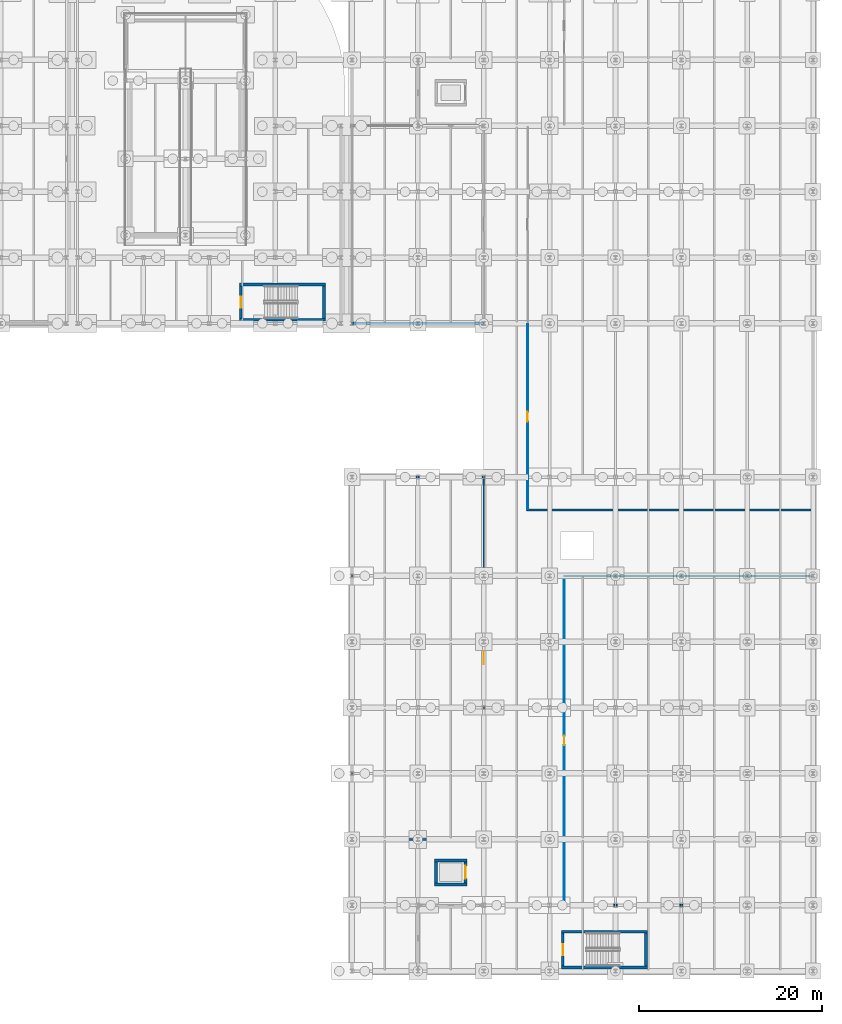
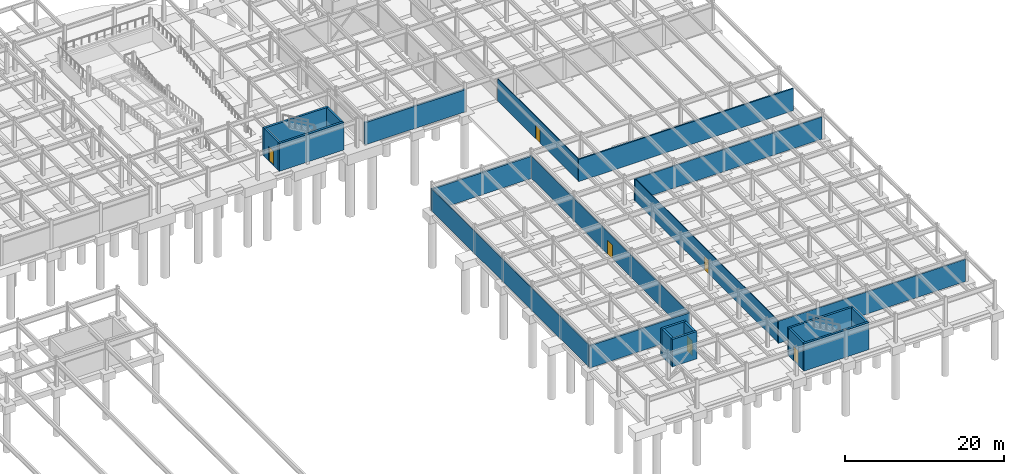
# One storey, part 45 of 54: 22 walls, 6 doors, 6 openings.
"""IFC4 building model written with IfcOpenShell, lengths in metres."""

import ifcopenshell
import ifcopenshell.guid

model = None  # the IFC model being written
_history = None  # IfcOwnerHistory: only IFC2X3 demands one
_inside = {}  # id of a spatial element -> (the spatial element, [elements in it])
_under = {}  # id of a project, library or spatial element -> (it, [spatial elements below it])
_declared = {}  # id of a project -> (the project, [libraries it declares])
_typed = {}  # id of a type object -> (the type object, [elements of that type])
_made_of = {}  # id of a material, layer set ... -> (it, [elements and type objects made of it])


def new_model(schema):
    """Start an empty IFC model of exactly this schema.

    Asked for "IFC4X3", IfcOpenShell would pick the latest addendum, in which some entities
    have other attributes; the version numbers below select the first issue.
    IFC2X3 requires an IfcOwnerHistory on every rooted entity: one is made here for all.
    """
    global model, _history
    if schema == "IFC4X3":
        model = ifcopenshell.file(schema_version=(4, 3, 0, 0))
    else:
        model = ifcopenshell.file(schema=schema)
    _inside.clear()
    _under.clear()
    _declared.clear()
    _typed.clear()
    _made_of.clear()
    _history = None
    if model.schema == "IFC2X3":
        org = make("IfcOrganization", Name="unknown")
        user = make(
            "IfcPersonAndOrganization",
            ThePerson=make("IfcPerson", FamilyName="unknown"),
            TheOrganization=org,
        )
        app = make(
            "IfcApplication",
            ApplicationDeveloper=org,
            Version="unknown",
            ApplicationFullName="unknown",
            ApplicationIdentifier="unknown",
        )
        _history = make(
            "IfcOwnerHistory",
            OwningUser=user,
            OwningApplication=app,
            ChangeAction="ADDED",
            CreationDate=0,
        )
    return model


def make(cls, **values):
    """One entity of the class cls with the attributes given. An attribute that is None is left unset."""
    return model.create_entity(
        cls, **{name: value for name, value in values.items() if value is not None}
    )


def rooted(cls, **values):
    """An entity with a GlobalId (a new one), such as an element, a storey or a relation."""
    return make(cls, GlobalId=ifcopenshell.guid.new(), OwnerHistory=_history, **values)


def si_unit(unit_type, name, prefix=None):
    """IfcSIUnit, for example si_unit("LENGTHUNIT", "METRE", prefix="MILLI")."""
    return make("IfcSIUnit", UnitType=unit_type, Prefix=prefix, Name=name)


def assignment(units):
    """IfcUnitAssignment: the units of a project."""
    return None if units is None else make("IfcUnitAssignment", Units=units)


def point(xyz):
    """IfcCartesianPoint."""
    return None if xyz is None else make("IfcCartesianPoint", Coordinates=xyz)


def direction(xyz):
    """IfcDirection."""
    return None if xyz is None else make("IfcDirection", DirectionRatios=xyz)


def frame(location, z_axis=None, x_axis=None):
    """IfcAxis2Placement3D, a coordinate frame: its origin and axes. An axis left out is left unset."""
    return make(
        "IfcAxis2Placement3D",
        Location=point(location),
        Axis=direction(z_axis),
        RefDirection=direction(x_axis),
    )


def frame_2d(location, x_axis=None):
    """IfcAxis2Placement2D, a coordinate frame in the plane: its origin and x axis."""
    return make(
        "IfcAxis2Placement2D", Location=point(location), RefDirection=direction(x_axis)
    )


def origin():
    """The frame at (0, 0, 0) with its axes left unset."""
    return frame((0.0, 0.0, 0.0))


def place(relative_to, where):
    """IfcLocalPlacement: puts the frame where relative to a parent placement (None: the world)."""
    return make(
        "IfcLocalPlacement", PlacementRelTo=relative_to, RelativePlacement=where
    )


def context(
    kind, dimensions, precision=None, world=None, true_north=None, identifier=None
):
    """IfcGeometricRepresentationContext, for example the 3D "Model" context."""
    return make(
        "IfcGeometricRepresentationContext",
        ContextIdentifier=identifier,
        ContextType=kind,
        CoordinateSpaceDimension=dimensions,
        Precision=precision,
        WorldCoordinateSystem=world,
        TrueNorth=true_north,
    )


def subcontext(parent, identifier, kind, view, scale=None):
    """IfcGeometricRepresentationSubContext, for example "Body" below "Model"."""
    return make(
        "IfcGeometricRepresentationSubContext",
        ContextIdentifier=identifier,
        ContextType=kind,
        ParentContext=parent,
        TargetScale=scale,
        TargetView=view,
    )


def project(units=None, contexts=None):
    """IfcProject with its units and contexts."""
    return rooted(
        "IfcProject",
        Name="project",
        RepresentationContexts=contexts,
        UnitsInContext=assignment(units),
    )


def spatial(cls, under=None, at=None, **own):
    """A site, building, storey or space (cls), placed at a placement, below another one or the project."""
    s = rooted(cls, ObjectPlacement=at, **own)
    if under is not None:
        _under.setdefault(under.id(), (under, []))[1].append(s)
    return s


def profile(cls, at=None, kind="AREA", **sizes):
    """A parametric profile (cls). Its sizes go by their IFC names, for example OverallWidth=200.0."""
    return make(cls, ProfileType=kind, Position=at, **sizes)


def rectangle(**sizes):
    """IfcRectangleProfileDef."""
    return profile("IfcRectangleProfileDef", **sizes)


def extrude(swept, where, along, depth):
    """IfcExtrudedAreaSolid: the profile swept, set in the frame where, extruded along a direction by depth."""
    return make(
        "IfcExtrudedAreaSolid",
        SweptArea=swept,
        Position=where,
        ExtrudedDirection=direction(along),
        Depth=depth,
    )


def shape(context_of_items, identifier, shape_type, items):
    """IfcShapeRepresentation: the items that make up one representation, for example the "Body"."""
    return make(
        "IfcShapeRepresentation",
        ContextOfItems=context_of_items,
        RepresentationIdentifier=identifier,
        RepresentationType=shape_type,
        Items=items,
    )


def material(Name=None, Category=None):
    """IfcMaterial."""
    return make("IfcMaterial", Name=Name, Category=Category)


def layer(
    of_material, thickness, ventilated=None, Name=None, Category=None, Priority=None
):
    """IfcMaterialLayer: one layer of a wall or slab, of a material (None: an air gap)."""
    return make(
        "IfcMaterialLayer",
        Material=of_material,
        LayerThickness=thickness,
        IsVentilated=ventilated,
        Name=Name,
        Category=Category,
        Priority=Priority,
    )


def layer_set(layers, Name=None):
    """IfcMaterialLayerSet."""
    return make("IfcMaterialLayerSet", MaterialLayers=layers, LayerSetName=Name)


def made_of(thing, what):
    """Note that an element or type object is made of a material, layer set ...; save() writes the relation."""
    if what is not None:
        _made_of.setdefault(what.id(), (what, []))[1].append(thing)
    return thing


def type_object(cls, material=None, **own):
    """A type object (cls), such as IfcWallType, which elements share."""
    return made_of(rooted(cls, **own), material)


def element(
    cls,
    number,
    at=None,
    inside=None,
    cuts=None,
    type_object=None,
    material=None,
    context=None,
    identifier="Body",
    shape_type=None,
    held_by="IfcProductDefinitionShape",
    body=None,
    shapes=None,
    **own,
):
    """One element of the class cls, such as IfcWall. Its Tag is "e" and its number.

    at: its placement. inside: the storey or other place that contains it. cuts: it is an
    opening in that element (IfcRelVoidsElement). A single representation is given by context,
    identifier, shape_type and body (its items); several are given by shapes. held_by: the class
    of the entity that holds the representations. save() writes the other relations.
    """
    e = rooted(cls, Tag="e%d" % number, ObjectPlacement=at, **own)
    if body is not None:
        shapes = [shape(context, identifier, shape_type, body)]
    if shapes is not None:
        e.Representation = make(held_by, Representations=shapes)
    if inside is not None:
        _inside.setdefault(inside.id(), (inside, []))[1].append(e)
    if cuts is not None:
        rooted(
            "IfcRelVoidsElement", RelatingBuildingElement=cuts, RelatedOpeningElement=e
        )
    if type_object is not None:
        _typed.setdefault(type_object.id(), (type_object, []))[1].append(e)
    return made_of(e, material)


def fill(opening, filler):
    """IfcRelFillsElement: the door or window that sits in an opening."""
    return rooted(
        "IfcRelFillsElement",
        RelatingOpeningElement=opening,
        RelatedBuildingElement=filler,
    )


def aggregate(whole, parts):
    """IfcRelAggregates: a whole, such as a stair, and the parts it consists of."""
    return rooted("IfcRelAggregates", RelatingObject=whole, RelatedObjects=parts)


def save(model, path):
    """Write the relations noted so far, then the file.

    IfcRelAggregates (storeys below a building ...), IfcRelContainedInSpatialStructure (elements
    in a storey), IfcRelDefinesByType, IfcRelAssociatesMaterial and IfcRelDeclares: one each for
    every whole, place, type object, material and project.
    """
    for whole, parts in _under.values():
        aggregate(whole, parts)
    for where, things in _inside.values():
        rooted(
            "IfcRelContainedInSpatialStructure",
            RelatedElements=things,
            RelatingStructure=where,
        )
    for kind, things in _typed.values():
        rooted("IfcRelDefinesByType", RelatedObjects=things, RelatingType=kind)
    for what, things in _made_of.values():
        rooted("IfcRelAssociatesMaterial", RelatedObjects=things, RelatingMaterial=what)
    for by, libraries in _declared.values():
        rooted("IfcRelDeclares", RelatingContext=by, RelatedDefinitions=libraries)
    model.write(path)


model = new_model("IFC4")

# Units and contexts
model_context = context("Model", 3, precision=1e-05, world=origin(), true_north=direction((0.0, 1.0)))
body_context = subcontext(model_context, "Body", "Model", "MODEL_VIEW")
ifc_project = project(units=[si_unit("LENGTHUNIT", "METRE"), si_unit("AREAUNIT", "SQUARE_METRE"), si_unit("VOLUMEUNIT", "CUBIC_METRE"), si_unit("PLANEANGLEUNIT", "RADIAN"), si_unit("MASSUNIT", "GRAM", prefix="KILO")], contexts=[model_context])

# Site, building, storey
site_placement = place(None, origin())
site = spatial("IfcSite", under=ifc_project, at=site_placement, CompositionType="ELEMENT")
building_placement = place(site_placement, origin())
building = spatial("IfcBuilding", under=site, at=building_placement, Name="Vaelcorin Mobility Hub", CompositionType="ELEMENT")
storey_placement = place(building_placement, frame((0.0, 0.0, -4.5)))
storey = spatial("IfcBuildingStorey", under=building, at=storey_placement, Name="B1", CompositionType="ELEMENT", Elevation=-4.5)

# Walls
ifc_material_1 = material(Name="Reinforced concrete f'c 45 MPa", Category="concrete")
ifc_layer_1 = layer(ifc_material_1, 0.300048828125)
ifc_layer_set_1 = layer_set([ifc_layer_1], Name="Reinforced concrete f'c 45 MPa")
wall_type_1 = type_object("IfcWallType", Name="WL-CORE-300", PredefinedType="SOLIDWALL", material=ifc_layer_set_1)
for number, where, z_axis, x_axis, name in (
    (1, (150.699951171875, 77.199951171875, 0.0), (0.0, 0.0, 1.0), (-1.0, 0.0, 0.0), "ST2 Fire Core Wall B1 South"),
    (2, (141.300048828125, 81.06005859375, 0.0), (0.0, 0.0, 1.0), (1.0, 0.0, 0.0), "ST2 Fire Core Wall B1 North"),
):
    element("IfcWall", number, at=place(storey_placement, frame(where, z_axis=z_axis, x_axis=x_axis)), inside=storey, type_object=wall_type_1, Name=name, PredefinedType="SOLIDWALL", context=body_context, shape_type="SweptSolid", body=[
        extrude(rectangle(XDim=9.39990234375, YDim=0.300048828125, at=frame_2d((4.699951171875, 0.0))), origin(), (0.0, 0.0, 1.0), 4.25),
    ])

# Wall, opening, door
wall_1_placement = place(storey_placement, frame((141.449951171875, 77.35009765625, 0.0), z_axis=(0.0, 0.0, 1.0), x_axis=(0.0, 1.0, 0.0)))
wall_1 = element("IfcWall", 3, at=wall_1_placement, inside=storey, type_object=wall_type_1, Name="ST2 Fire Core Wall B1 West", PredefinedType="SOLIDWALL", context=body_context, shape_type="SweptSolid", body=[
    extrude(rectangle(XDim=3.559814453125, YDim=0.300048828125, at=frame_2d((1.77978515625, 0.0))), origin(), (0.0, 0.0, 1.0), 4.25),
])
opening_1_placement = place(wall_1_placement, frame((1.179931640625, 0.0, 0.0)))
opening_1 = element("IfcOpeningElement", 4, at=opening_1_placement, cuts=wall_1, Name="Opening SD01", PredefinedType="OPENING", context=body_context, shape_type="SweptSolid", body=[
    extrude(rectangle(XDim=1.199951171875, YDim=2.199951171875, at=frame_2d((0.60009765625, 1.10009765625))), frame((0.0, 0.159912109375, 0.0), z_axis=(0.0, -1.0, 0.0), x_axis=(1.0, 0.0, 0.0)), (0.0, 0.0, 1.0), 0.320068359375),
])
ifc_material_2 = material(Name="Hollow-metal insulated steel fire door", Category="steel")
door_type_1 = type_object("IfcDoorType", Name="DR-STAIR-90", OperationType="NOTDEFINED", PredefinedType="DOOR", material=ifc_material_2)
door_1_placement = place(opening_1_placement, origin())
door_1 = element("IfcDoor", 5, at=door_1_placement, inside=storey, type_object=door_type_1, Name="ST2 Protected Stair Door B1", OperationType="SINGLE_SWING_RIGHT", OverallHeight=2.199951171875, OverallWidth=1.199951171875, PredefinedType="DOOR", context=body_context, shape_type="SweptSolid", body=[
    extrude(rectangle(XDim=1.199951171875, YDim=2.199951171875, at=frame_2d((0.60009765625, 1.10009765625))), frame((0.0, 0.02490234375, 0.0), z_axis=(0.0, -1.0, 0.0), x_axis=(1.0, 0.0, 0.0)), (0.0, 0.0, 1.0), 0.050048828125),
])
fill(opening_1, door_1)

# Walls
wall_2_placement = place(storey_placement, frame((150.550048828125, 80.909912109375, 0.0), z_axis=(0.0, 0.0, 1.0), x_axis=(0.0, -1.0, 0.0)))
element("IfcWall", 6, at=wall_2_placement, inside=storey, type_object=wall_type_1, Name="ST2 Fire Core Wall B1 East", PredefinedType="SOLIDWALL", context=body_context, shape_type="SweptSolid", body=[
    extrude(rectangle(XDim=3.559814453125, YDim=0.300048828125, at=frame_2d((1.77978515625, 0.0))), origin(), (0.0, 0.0, 1.0), 4.25),
])
for number, where, z_axis, x_axis, name in (
    (7, (185.89990234375, 6.39990234375, 0.0), (0.0, 0.0, 1.0), (-1.0, 0.0, 0.0), "ST5 Fire Core Wall B1 South"),
    (8, (176.5, 10.300048828125, 0.0), (0.0, 0.0, 1.0), (1.0, 0.0, 0.0), "ST5 Fire Core Wall B1 North"),
):
    element("IfcWall", number, at=place(storey_placement, frame(where, z_axis=z_axis, x_axis=x_axis)), inside=storey, type_object=wall_type_1, Name=name, PredefinedType="SOLIDWALL", context=body_context, shape_type="SweptSolid", body=[
        extrude(rectangle(XDim=9.39990234375, YDim=0.300048828125, at=frame_2d((4.699951171875, 0.0))), origin(), (0.0, 0.0, 1.0), 4.179931640625),
    ])

# Wall, opening, door
wall_3_placement = place(storey_placement, frame((176.64990234375, 6.550048828125, 0.0), z_axis=(0.0, 0.0, 1.0), x_axis=(0.0, 1.0, 0.0)))
wall_3 = element("IfcWall", 9, at=wall_3_placement, inside=storey, type_object=wall_type_1, Name="ST5 Fire Core Wall B1 West", PredefinedType="SOLIDWALL", context=body_context, shape_type="SweptSolid", body=[
    extrude(rectangle(XDim=3.599853515625, YDim=0.300048828125, at=frame_2d((1.7998046875, 0.0))), origin(), (0.0, 0.0, 1.0), 4.179931640625),
])
opening_2_placement = place(wall_3_placement, frame((1.199951171875, 0.0, 0.0)))
opening_2 = element("IfcOpeningElement", 10, at=opening_2_placement, cuts=wall_3, Name="Opening SD01", PredefinedType="OPENING", context=body_context, shape_type="SweptSolid", body=[
    extrude(rectangle(XDim=1.199951171875, YDim=2.199951171875, at=frame_2d((0.60009765625, 1.10009765625))), frame((0.0, 0.159912109375, 0.0), z_axis=(0.0, -1.0, 0.0), x_axis=(1.0, 0.0, 0.0)), (0.0, 0.0, 1.0), 0.320068359375),
])
door_2_placement = place(opening_2_placement, origin())
door_2 = element("IfcDoor", 11, at=door_2_placement, inside=storey, type_object=door_type_1, Name="ST5 Protected Stair Door B1", OperationType="SINGLE_SWING_LEFT", OverallHeight=2.199951171875, OverallWidth=1.199951171875, PredefinedType="DOOR", context=body_context, shape_type="SweptSolid", body=[
    extrude(rectangle(XDim=1.199951171875, YDim=2.199951171875, at=frame_2d((0.60009765625, 1.10009765625))), frame((0.0, 0.02490234375, 0.0), z_axis=(0.0, -1.0, 0.0), x_axis=(1.0, 0.0, 0.0)), (0.0, 0.0, 1.0), 0.050048828125),
])
fill(opening_2, door_2)

# Wall
wall_4_placement = place(storey_placement, frame((185.75, 10.14990234375, 0.0), z_axis=(0.0, 0.0, 1.0), x_axis=(0.0, -1.0, 0.0)))
element("IfcWall", 12, at=wall_4_placement, inside=storey, type_object=wall_type_1, Name="ST5 Fire Core Wall B1 East", PredefinedType="SOLIDWALL", context=body_context, shape_type="SweptSolid", body=[
    extrude(rectangle(XDim=3.599853515625, YDim=0.300048828125, at=frame_2d((1.7998046875, 0.0))), origin(), (0.0, 0.0, 1.0), 4.179931640625),
])

# Wall, opening, door
ifc_material_3 = material(Name="Fire-rated acoustic steel-stud gypsum board", Category="steel")
ifc_layer_2 = layer(ifc_material_3, 0.10009765625)
ifc_layer_set_2 = layer_set([ifc_layer_2], Name="Fire-rated acoustic steel-stud gypsum board")
wall_type_2 = type_object("IfcWallType", Name="WL-PART-100", PredefinedType="PARTITIONING", material=ifc_layer_set_2)
wall_5_placement = place(storey_placement, frame((176.800048828125, 13.2939453125, 0.0), z_axis=(0.0, 0.0, 1.0), x_axis=(0.0, 1.0, 0.0)))
wall_5 = element("IfcWall", 13, at=wall_5_placement, inside=storey, type_object=wall_type_2, Name="Geothermal Heat-Pump Plant Hall Partition West", PredefinedType="PARTITIONING", context=body_context, shape_type="SweptSolid", body=[
    extrude(rectangle(XDim=35.80810546875, YDim=0.10009765625, at=frame_2d((17.904052734375, 0.0))), origin(), (0.0, 0.0, 1.0), 3.403076171875),
])
opening_3_placement = place(wall_5_placement, frame((17.3740234375, 0.0, 0.0)))
opening_3 = element("IfcOpeningElement", 14, at=opening_3_placement, cuts=wall_5, Name="Opening ID05", PredefinedType="OPENING", context=body_context, shape_type="SweptSolid", body=[
    extrude(rectangle(XDim=1.06005859375, YDim=2.10009765625, at=frame_2d((0.530029296875, 1.050048828125))), frame((0.0, 0.06005859375, 0.0), z_axis=(0.0, -1.0, 0.0), x_axis=(1.0, 0.0, 0.0)), (0.0, 0.0, 1.0), 0.1201171875),
])
ifc_material_4 = material(Name="Solid-core hardwood fire door assembly", Category="wood")
door_type_2 = type_object("IfcDoorType", Name="DR-INT-05", OperationType="NOTDEFINED", PredefinedType="DOOR", material=ifc_material_4)
door_3_placement = place(opening_3_placement, origin())
door_3 = element("IfcDoor", 15, at=door_3_placement, inside=storey, type_object=door_type_2, Name="Geothermal Heat-Pump Plant Hall Door", OperationType="SINGLE_SWING_LEFT", OverallHeight=2.10009765625, OverallWidth=1.06005859375, PredefinedType="DOOR", context=body_context, shape_type="SweptSolid", body=[
    extrude(rectangle(XDim=1.06005859375, YDim=2.10009765625, at=frame_2d((0.530029296875, 1.050048828125))), frame((0.0, 0.02490234375, 0.0), z_axis=(0.0, -1.0, 0.0), x_axis=(1.0, 0.0, 0.0)), (0.0, 0.0, 1.0), 0.050048828125),
])
fill(opening_3, door_3)

ifc_layer_3 = layer(ifc_material_3, 0.10498046875)
ifc_layer_set_3 = layer_set([ifc_layer_3], Name="Fire-rated acoustic steel-stud gypsum board")
wall_type_3 = type_object("IfcWallType", Name="WL-PART-105", PredefinedType="PARTITIONING", material=ifc_layer_set_3)
wall_6_placement = place(storey_placement, frame((172.800048828125, 56.5009765625, 0.0), z_axis=(0.0, 0.0, 1.0), x_axis=(0.0, 1.0, 0.0)))
wall_6 = element("IfcWall", 16, at=wall_6_placement, inside=storey, type_object=wall_type_3, Name="Medium-Voltage Switchgear Room Partition West", PredefinedType="PARTITIONING", context=body_context, shape_type="SweptSolid", body=[
    extrude(rectangle(XDim=20.195068359375, YDim=0.10498046875, at=frame_2d((10.09765625, 0.0))), origin(), (0.0, 0.0, 1.0), 3.403076171875),
])
opening_4_placement = place(wall_6_placement, frame((9.548095703125, 0.0, 0.0)))
opening_4 = element("IfcOpeningElement", 17, at=opening_4_placement, cuts=wall_6, Name="Opening ID06", PredefinedType="OPENING", context=body_context, shape_type="SweptSolid", body=[
    extrude(rectangle(XDim=1.10009765625, YDim=2.10009765625, at=frame_2d((0.550048828125, 1.050048828125))), frame((0.0, 0.0625, 0.0), z_axis=(0.0, -1.0, 0.0), x_axis=(1.0, 0.0, 0.0)), (0.0, 0.0, 1.0), 0.125),
])
door_type_3 = type_object("IfcDoorType", Name="DR-INT-06", OperationType="NOTDEFINED", PredefinedType="DOOR", material=ifc_material_4)
door_4_placement = place(opening_4_placement, origin())
door_4 = element("IfcDoor", 18, at=door_4_placement, inside=storey, type_object=door_type_3, Name="Medium-Voltage Switchgear Room Door", OperationType="SINGLE_SWING_RIGHT", OverallHeight=2.10009765625, OverallWidth=1.10009765625, PredefinedType="DOOR", context=body_context, shape_type="SweptSolid", body=[
    extrude(rectangle(XDim=1.10009765625, YDim=2.10009765625, at=frame_2d((0.550048828125, 1.050048828125))), frame((0.0, 0.02490234375, 0.0), z_axis=(0.0, -1.0, 0.0), x_axis=(1.0, 0.0, 0.0)), (0.0, 0.0, 1.0), 0.050048828125),
])
fill(opening_4, door_4)

ifc_layer_4 = layer(ifc_material_3, 0.1201171875)
ifc_layer_set_4 = layer_set([ifc_layer_4], Name="Fire-rated acoustic steel-stud gypsum board")
wall_type_4 = type_object("IfcWallType", Name="WL-PART-120", PredefinedType="PARTITIONING", material=ifc_layer_set_4)
wall_7_placement = place(storey_placement, frame((168.0, 59.873046875, 0.0), z_axis=(0.0, 0.0, 1.0), x_axis=(0.0, -1.0, 0.0)))
wall_7 = element("IfcWall", 19, at=wall_7_placement, inside=storey, type_object=wall_type_4, Name="Domestic Water Booster Room Partition East", PredefinedType="PARTITIONING", context=body_context, shape_type="SweptSolid", body=[
    extrude(rectangle(XDim=39.35400390625, YDim=0.1201171875, at=frame_2d((19.677001953125, 0.0))), origin(), (0.0, 0.0, 1.0), 3.403076171875),
])
opening_5_placement = place(wall_7_placement, frame((19.027099609375, 0.0, 0.0)))
opening_5 = element("IfcOpeningElement", 20, at=opening_5_placement, cuts=wall_7, Name="Opening ID09", PredefinedType="OPENING", context=body_context, shape_type="SweptSolid", body=[
    extrude(rectangle(XDim=1.300048828125, YDim=2.10009765625, at=frame_2d((0.64990234375, 1.050048828125))), frame((0.0, 0.070068359375, 0.0), z_axis=(0.0, -1.0, 0.0), x_axis=(1.0, 0.0, 0.0)), (0.0, 0.0, 1.0), 0.14013671875),
])
door_type_4 = type_object("IfcDoorType", Name="DR-INT-09", OperationType="NOTDEFINED", PredefinedType="DOOR", material=ifc_material_4)
door_5_placement = place(opening_5_placement, origin())
door_5 = element("IfcDoor", 21, at=door_5_placement, inside=storey, type_object=door_type_4, Name="Domestic Water Booster Room Door", OperationType="SINGLE_SWING_LEFT", OverallHeight=2.10009765625, OverallWidth=1.300048828125, PredefinedType="DOOR", context=body_context, shape_type="SweptSolid", body=[
    extrude(rectangle(XDim=1.300048828125, YDim=2.10009765625, at=frame_2d((0.64990234375, 1.050048828125))), frame((0.0, 0.02490234375, 0.0), z_axis=(0.0, -1.0, 0.0), x_axis=(1.0, 0.0, 0.0)), (0.0, 0.0, 1.0), 0.050048828125),
])
fill(opening_5, door_5)

# Walls
ifc_layer_5 = layer(ifc_material_3, 0.139892578125)
ifc_layer_set_5 = layer_set([ifc_layer_5], Name="Fire-rated acoustic steel-stud gypsum board")
wall_type_5 = type_object("IfcWallType", Name="WL-PART-140", PredefinedType="PARTITIONING", material=ifc_layer_set_5)
wall_8_placement = place(storey_placement, frame((153.60009765625, 20.51904296875, 0.0), z_axis=(0.0, 0.0, 1.0), x_axis=(0.0, 1.0, 0.0)))
element("IfcWall", 22, at=wall_8_placement, inside=storey, type_object=wall_type_5, Name="Domestic Water Booster Room Partition West", PredefinedType="PARTITIONING", context=body_context, shape_type="SweptSolid", body=[
    extrude(rectangle(XDim=39.35400390625, YDim=0.139892578125, at=frame_2d((19.677001953125, 0.0))), origin(), (0.0, 0.0, 1.0), 3.403076171875),
])
ifc_layer_6 = layer(ifc_material_3, 0.18505859375)
ifc_layer_set_6 = layer_set([ifc_layer_6], Name="Fire-rated acoustic steel-stud gypsum board")
wall_type_6 = type_object("IfcWallType", Name="WL-PART-185", PredefinedType="PARTITIONING", material=ifc_layer_set_6)
wall_9_placement = place(storey_placement, frame((203.867919921875, 13.199951171875, 0.0), z_axis=(0.0, 0.0, 1.0), x_axis=(-1.0, 0.0, 0.0)))
element("IfcWall", 23, at=wall_9_placement, inside=storey, type_object=wall_type_6, Name="Geothermal Heat-Pump Plant Hall Partition South", PredefinedType="PARTITIONING", context=body_context, shape_type="SweptSolid", body=[
    extrude(rectangle(XDim=27.14794921875, YDim=0.18505859375, at=frame_2d((13.573974609375, 0.0))), origin(), (0.0, 0.0, 1.0), 3.403076171875),
])
ifc_layer_7 = layer(ifc_material_3, 0.19189453125)
ifc_layer_set_7 = layer_set([ifc_layer_7], Name="Fire-rated acoustic steel-stud gypsum board")
wall_type_7 = type_object("IfcWallType", Name="WL-PART-192", PredefinedType="PARTITIONING", material=ifc_layer_set_7)
wall_10_placement = place(storey_placement, frame((176.719970703125, 49.199951171875, 0.0), z_axis=(0.0, 0.0, 1.0), x_axis=(1.0, 0.0, 0.0)))
element("IfcWall", 24, at=wall_10_placement, inside=storey, type_object=wall_type_7, Name="Geothermal Heat-Pump Plant Hall Partition North", PredefinedType="PARTITIONING", context=body_context, shape_type="SweptSolid", body=[
    extrude(rectangle(XDim=27.14794921875, YDim=0.19189453125, at=frame_2d((13.573974609375, 0.0))), origin(), (0.0, 0.0, 1.0), 3.403076171875),
])
ifc_material_5 = material(Name="Reinforced acoustic concrete masonry C30/37", Category="masonry")
ifc_layer_8 = layer(ifc_material_5, 0.197998046875)
ifc_layer_set_8 = layer_set([ifc_layer_8], Name="Reinforced acoustic concrete masonry C30/37")
wall_type_8 = type_object("IfcWallType", Name="WL-PART-198", PredefinedType="PARTITIONING", material=ifc_layer_set_8)
wall_11_placement = place(storey_placement, frame((203.867919921875, 56.39990234375, 0.0), z_axis=(0.0, 0.0, 1.0), x_axis=(-1.0, 0.0, 0.0)))
element("IfcWall", 25, at=wall_11_placement, inside=storey, type_object=wall_type_8, Name="Medium-Voltage Switchgear Room Partition South", PredefinedType="PARTITIONING", context=body_context, shape_type="SweptSolid", body=[
    extrude(rectangle(XDim=31.14794921875, YDim=0.197998046875, at=frame_2d((15.573974609375, 0.0))), origin(), (0.0, 0.0, 1.0), 3.403076171875),
])
ifc_layer_9 = layer(ifc_material_5, 0.235107421875)
ifc_layer_set_9 = layer_set([ifc_layer_9], Name="Reinforced acoustic concrete masonry C30/37")
wall_type_9 = type_object("IfcWallType", Name="WL-PART-235", PredefinedType="PARTITIONING", material=ifc_layer_set_9)
wall_12_placement = place(storey_placement, frame((168.080078125, 20.39990234375, 0.0), z_axis=(0.0, 0.0, 1.0), x_axis=(-1.0, 0.0, 0.0)))
element("IfcWall", 26, at=wall_12_placement, inside=storey, type_object=wall_type_9, Name="Domestic Water Booster Room Partition South", PredefinedType="PARTITIONING", context=body_context, shape_type="SweptSolid", body=[
    extrude(rectangle(XDim=14.56005859375, YDim=0.235107421875, at=frame_2d((7.280029296875, 0.0))), origin(), (0.0, 0.0, 1.0), 3.403076171875),
])
ifc_layer_10 = layer(ifc_material_5, 0.25)
ifc_layer_set_10 = layer_set([ifc_layer_10], Name="Reinforced acoustic concrete masonry C30/37")
wall_type_10 = type_object("IfcWallType", Name="WL-PART-250", PredefinedType="PARTITIONING", material=ifc_layer_set_10)
wall_13_placement = place(storey_placement, frame((153.52001953125, 60.0, 0.0), z_axis=(0.0, 0.0, 1.0), x_axis=(1.0, 0.0, 0.0)))
element("IfcWall", 27, at=wall_13_placement, inside=storey, type_object=wall_type_10, Name="Domestic Water Booster Room Partition North", PredefinedType="PARTITIONING", context=body_context, shape_type="SweptSolid", body=[
    extrude(rectangle(XDim=14.56005859375, YDim=0.25, at=frame_2d((7.280029296875, 0.0))), origin(), (0.0, 0.0, 1.0), 3.403076171875),
])
ifc_layer_11 = layer(ifc_material_5, 0.27001953125)
ifc_layer_set_11 = layer_set([ifc_layer_11], Name="Reinforced acoustic concrete masonry C30/37")
wall_type_11 = type_object("IfcWallType", Name="WL-PART-270", PredefinedType="PARTITIONING", material=ifc_layer_set_11)
wall_14_placement = place(storey_placement, frame((168.080078125, 76.800048828125, 0.0), z_axis=(0.0, 0.0, 1.0), x_axis=(-1.0, 0.0, 0.0)))
element("IfcWall", 28, at=wall_14_placement, inside=storey, type_object=wall_type_11, Name="BESS Energy Storage Vault Partition South", PredefinedType="PARTITIONING", context=body_context, shape_type="SweptSolid", body=[
    extrude(rectangle(XDim=14.56005859375, YDim=0.27001953125, at=frame_2d((7.280029296875, 0.0))), origin(), (0.0, 0.0, 1.0), 3.403076171875),
])
ifc_layer_12 = layer(ifc_material_1, 0.324951171875)
ifc_layer_set_12 = layer_set([ifc_layer_12], Name="Reinforced concrete f'c 45 MPa")
wall_type_12 = type_object("IfcWallType", Name="WL-SHEAR-325", PredefinedType="SHEAR", material=ifc_layer_set_12)
for number, where, z_axis, x_axis, name in (
    (29, (166.175048828125, 15.488037109375, 0.0), (0.0, 0.0, 1.0), (-1.0, 0.0, 0.0), "LF5 Lift Shaft Shear Wall B1 South"),
    (30, (162.625, 18.112060546875, 0.0), (0.0, 0.0, 1.0), (1.0, 0.0, 0.0), "LF5 Lift Shaft Shear Wall B1 North"),
):
    element("IfcWall", number, at=place(storey_placement, frame(where, z_axis=z_axis, x_axis=x_axis)), inside=storey, type_object=wall_type_12, Name=name, PredefinedType="SHEAR", context=body_context, shape_type="SweptSolid", body=[
        extrude(rectangle(XDim=3.550048828125, YDim=0.324951171875, at=frame_2d((1.77490234375, 0.0))), origin(), (0.0, 0.0, 1.0), 4.179931640625),
    ])
wall_15_placement = place(storey_placement, frame((162.7880859375, 15.64990234375, 0.0), z_axis=(0.0, 0.0, 1.0), x_axis=(0.0, 1.0, 0.0)))
element("IfcWall", 31, at=wall_15_placement, inside=storey, type_object=wall_type_12, Name="LF5 Lift Shaft Shear Wall B1 West", PredefinedType="SHEAR", context=body_context, shape_type="SweptSolid", body=[
    extrude(rectangle(XDim=2.300048828125, YDim=0.324951171875, at=frame_2d((1.14990234375, 0.0))), origin(), (0.0, 0.0, 1.0), 4.179931640625),
])

# Wall, opening, door
wall_16_placement = place(storey_placement, frame((166.011962890625, 17.949951171875, 0.0), z_axis=(0.0, 0.0, 1.0), x_axis=(0.0, -1.0, 0.0)))
wall_16 = element("IfcWall", 32, at=wall_16_placement, inside=storey, type_object=wall_type_12, Name="LF5 Lift Shaft Shear Wall B1 East", PredefinedType="SHEAR", context=body_context, shape_type="SweptSolid", body=[
    extrude(rectangle(XDim=2.300048828125, YDim=0.324951171875, at=frame_2d((1.14990234375, 0.0))), origin(), (0.0, 0.0, 1.0), 4.179931640625),
])
opening_6_placement = place(wall_16_placement, frame((0.449951171875, 0.0, 0.0)))
opening_6 = element("IfcOpeningElement", 33, at=opening_6_placement, cuts=wall_16, Name="Opening LD3", PredefinedType="OPENING", context=body_context, shape_type="SweptSolid", body=[
    extrude(rectangle(XDim=1.39990234375, YDim=2.300048828125, at=frame_2d((0.699951171875, 1.14990234375))), frame((0.0, 0.17236328125, 0.0), z_axis=(0.0, -1.0, 0.0), x_axis=(1.0, 0.0, 0.0)), (0.0, 0.0, 1.0), 0.344970703125),
])
ifc_material_6 = material(Name="Brushed stainless steel 316L", Category="steel")
door_type_5 = type_object("IfcDoorType", Name="DR-LIFT-LD3", OperationType="NOTDEFINED", PredefinedType="DOOR", material=ifc_material_6)
door_6_placement = place(opening_6_placement, origin())
door_6 = element("IfcDoor", 34, at=door_6_placement, inside=storey, type_object=door_type_5, Name="LF5 Lift Landing Sliding Door B1", OperationType="DOUBLE_DOOR_SLIDING", OverallHeight=2.300048828125, OverallWidth=1.39990234375, PredefinedType="DOOR", context=body_context, shape_type="SweptSolid", body=[
    extrude(rectangle(XDim=1.39990234375, YDim=2.300048828125, at=frame_2d((0.699951171875, 1.14990234375))), frame((0.0, 0.02490234375, 0.0), z_axis=(0.0, -1.0, 0.0), x_axis=(1.0, 0.0, 0.0)), (0.0, 0.0, 1.0), 0.050048828125),
])
fill(opening_6, door_6)

save(model, "model.ifc")
